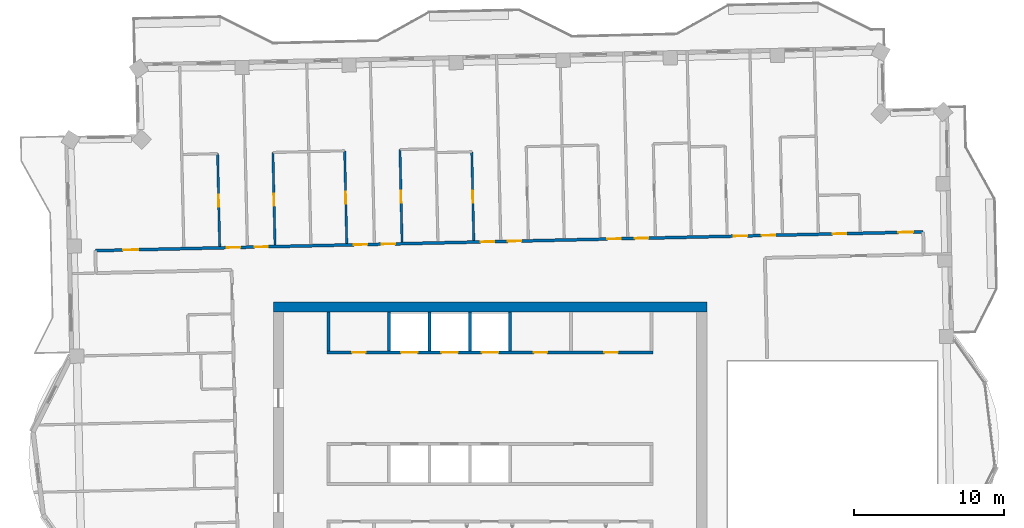
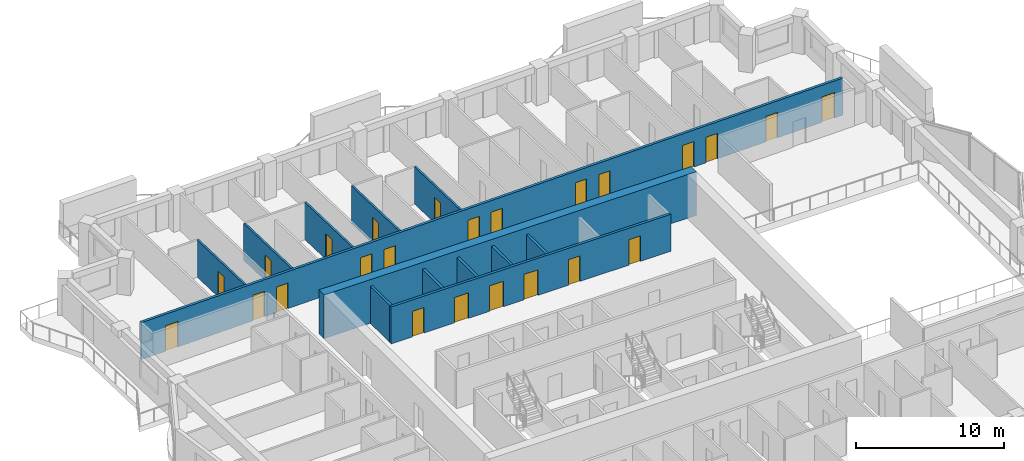
# One storey, part 11 of 18: 24 doors, 13 walls, 24 openings.
"""IFC4 building model written with IfcOpenShell, lengths in metres."""

from ifc_helpers import new_model, si_unit, direction, frame, frame_2d, origin, place, context, subcontext, project, spatial, rectangle, extrude, material, layer, layer_set, type_object, element, fill, save


model = new_model("IFC4")

# Units and contexts
model_context = context("Model", 3, precision=1e-05, world=origin(), true_north=direction((0.0, 1.0)))
body_context = subcontext(model_context, "Body", "Model", "MODEL_VIEW")
ifc_project = project(units=[si_unit("LENGTHUNIT", "METRE"), si_unit("AREAUNIT", "SQUARE_METRE"), si_unit("VOLUMEUNIT", "CUBIC_METRE"), si_unit("PLANEANGLEUNIT", "RADIAN"), si_unit("MASSUNIT", "GRAM", prefix="KILO")], contexts=[model_context])

# Site, building, storey
site_placement = place(None, origin())
site = spatial("IfcSite", under=ifc_project, at=site_placement, CompositionType="ELEMENT")
building_placement = place(site_placement, origin())
building = spatial("IfcBuilding", under=site, at=building_placement, Name="Mangrove Gate Tower", CompositionType="ELEMENT")
storey_placement = place(building_placement, frame((0.0, 0.0, 290.699951171875)))
storey = spatial("IfcBuildingStorey", under=building, at=storey_placement, Name="L74", CompositionType="ELEMENT", Elevation=290.699951171875)

# Wall
ifc_material_1 = material(Name="Concrete C32/40", Category="concrete")
ifc_layer_1 = layer(ifc_material_1, 0.199951171875)
ifc_layer_set_1 = layer_set([ifc_layer_1], Name="Core room wall 200 C32/40")
wall_type_1 = type_object("IfcWallType", Name="Core room wall 200 C32/40", PredefinedType="STANDARD", material=ifc_layer_set_1)
wall_1_placement = place(storey_placement, frame((-10.800048828125, 8.199951171875, 0.0), z_axis=(0.0, 0.0, 1.0), x_axis=(0.0, 1.0, 0.0)))
element("IfcWall", 1, at=wall_1_placement, inside=storey, type_object=wall_type_1, Name="WALL-L74-CORE-25", PredefinedType="STANDARD", context=body_context, shape_type="SweptSolid", body=[
    extrude(rectangle(XDim=2.60009765625, YDim=0.199951171875, at=frame_2d((1.300048828125, 0.0))), origin(), (0.0, 0.0, 1.0), 3.050048828125),
])

# Wall, openings, doors
ifc_material_2 = material(Name="Concrete C50/60", Category="concrete")
ifc_layer_2 = layer(ifc_material_2, 0.199951171875)
ifc_layer_set_2 = layer_set([ifc_layer_2], Name="Core shaft wall 200 C50/60")
wall_type_2 = type_object("IfcWallType", Name="Core shaft wall 200 C50/60", PredefinedType="SHEAR", material=ifc_layer_set_2)
wall_2_placement = place(storey_placement, frame((-10.89990234375, 8.10009765625, 0.0), z_axis=(0.0, 0.0, 1.0), x_axis=(1.0, 0.0, 0.0)))
wall_2 = element("IfcWall", 2, at=wall_2_placement, inside=storey, type_object=wall_type_2, Name="WALL-L74-CORE-8", PredefinedType="SHEAR", context=body_context, shape_type="SweptSolid", body=[
    extrude(rectangle(XDim=21.7998046875, YDim=0.199951171875, at=frame_2d((10.89990234375, 0.0))), origin(), (0.0, 0.0, 1.0), 3.050048828125),
])
opening_1_placement = place(wall_2_placement, frame((4.949951171875, 0.0, 0.0)))
opening_1 = element("IfcOpeningElement", 3, at=opening_1_placement, cuts=wall_2, Name="Opening LD", PredefinedType="OPENING", context=body_context, shape_type="SweptSolid", body=[
    extrude(rectangle(XDim=1.10009765625, YDim=2.10009765625, at=frame_2d((0.550048828125, 1.050048828125))), frame((0.0, 0.10986328125, 0.0), z_axis=(0.0, -1.0, 0.0), x_axis=(1.0, 0.0, 0.0)), (0.0, 0.0, 1.0), 0.219970703125),
])
opening_2_placement = place(wall_2_placement, frame((7.64990234375, 0.0, 0.0)))
opening_2 = element("IfcOpeningElement", 4, at=opening_2_placement, cuts=wall_2, Name="Opening LD", PredefinedType="OPENING", context=body_context, shape_type="SweptSolid", body=[
    extrude(rectangle(XDim=1.10009765625, YDim=2.10009765625, at=frame_2d((0.550048828125, 1.050048828125))), frame((0.0, 0.10986328125, 0.0), z_axis=(0.0, -1.0, 0.0), x_axis=(1.0, 0.0, 0.0)), (0.0, 0.0, 1.0), 0.219970703125),
])
opening_3_placement = place(wall_2_placement, frame((10.35009765625, 0.0, 0.0)))
opening_3 = element("IfcOpeningElement", 5, at=opening_3_placement, cuts=wall_2, Name="Opening LD", PredefinedType="OPENING", context=body_context, shape_type="SweptSolid", body=[
    extrude(rectangle(XDim=1.10009765625, YDim=2.10009765625, at=frame_2d((0.550048828125, 1.050048828125))), frame((0.0, 0.10986328125, 0.0), z_axis=(0.0, -1.0, 0.0), x_axis=(1.0, 0.0, 0.0)), (0.0, 0.0, 1.0), 0.219970703125),
])
opening_4_placement = place(wall_2_placement, frame((1.675048828125, 0.0, 0.0)))
opening_4 = element("IfcOpeningElement", 6, at=opening_4_placement, cuts=wall_2, Name="Opening RD", PredefinedType="OPENING", context=body_context, shape_type="SweptSolid", body=[
    extrude(rectangle(XDim=0.89990234375, YDim=2.10009765625, at=frame_2d((0.449951171875, 1.050048828125))), frame((0.0, 0.10986328125, 0.0), z_axis=(0.0, -1.0, 0.0), x_axis=(1.0, 0.0, 0.0)), (0.0, 0.0, 1.0), 0.219970703125),
])
opening_5_placement = place(wall_2_placement, frame((13.824951171875, 0.0, 0.0)))
opening_5 = element("IfcOpeningElement", 7, at=opening_5_placement, cuts=wall_2, Name="Opening RD", PredefinedType="OPENING", context=body_context, shape_type="SweptSolid", body=[
    extrude(rectangle(XDim=0.89990234375, YDim=2.10009765625, at=frame_2d((0.449951171875, 1.050048828125))), frame((0.0, 0.10986328125, 0.0), z_axis=(0.0, -1.0, 0.0), x_axis=(1.0, 0.0, 0.0)), (0.0, 0.0, 1.0), 0.219970703125),
])
opening_6_placement = place(wall_2_placement, frame((18.550048828125, 0.0, 0.0)))
opening_6 = element("IfcOpeningElement", 8, at=opening_6_placement, cuts=wall_2, Name="Opening KD", PredefinedType="OPENING", context=body_context, shape_type="SweptSolid", body=[
    extrude(rectangle(XDim=0.89990234375, YDim=2.10009765625, at=frame_2d((0.449951171875, 1.050048828125))), frame((0.0, 0.10986328125, 0.0), z_axis=(0.0, -1.0, 0.0), x_axis=(1.0, 0.0, 0.0)), (0.0, 0.0, 1.0), 0.219970703125),
])
ifc_material_3 = material(Name="Fire-rated steel door set", Category="steel")
door_type_1 = type_object("IfcDoorType", Name="Core room door FD30S 900x2100", OperationType="SINGLE_SWING_RIGHT", PredefinedType="DOOR", material=ifc_material_3)
door_1_placement = place(opening_6_placement, origin())
door_1 = element("IfcDoor", 9, at=door_1_placement, inside=storey, type_object=door_type_1, Name="Core room door Core WC", OperationType="SINGLE_SWING_RIGHT", OverallHeight=2.10009765625, OverallWidth=0.89990234375, PredefinedType="DOOR", context=body_context, shape_type="SweptSolid", body=[
    extrude(rectangle(XDim=0.89990234375, YDim=2.10009765625, at=frame_2d((0.449951171875, 1.050048828125))), frame((0.0, 0.02490234375, 0.0), z_axis=(0.0, -1.0, 0.0), x_axis=(1.0, 0.0, 0.0)), (0.0, 0.0, 1.0), 0.050048828125),
])
fill(opening_6, door_1)
ifc_material_4 = material(Name="Stainless steel 316", Category="steel")
door_type_2 = type_object("IfcDoorType", Name="Lift landing door 1100x2100", OperationType="SLIDING_TO_LEFT", PredefinedType="DOOR", material=ifc_material_4)
door_2_placement = place(opening_1_placement, origin())
door_2 = element("IfcDoor", 10, at=door_2_placement, inside=storey, type_object=door_type_2, Name="Landing door LD H04", OperationType="SLIDING_TO_LEFT", OverallHeight=2.10009765625, OverallWidth=1.10009765625, PredefinedType="DOOR", context=body_context, shape_type="SweptSolid", body=[
    extrude(rectangle(XDim=1.10009765625, YDim=2.10009765625, at=frame_2d((0.550048828125, 1.050048828125))), frame((0.0, 0.02490234375, 0.0), z_axis=(0.0, -1.0, 0.0), x_axis=(1.0, 0.0, 0.0)), (0.0, 0.0, 1.0), 0.050048828125),
])
fill(opening_1, door_2)
door_3_placement = place(opening_2_placement, origin())
door_3 = element("IfcDoor", 11, at=door_3_placement, inside=storey, type_object=door_type_2, Name="Landing door LD H05", OperationType="SLIDING_TO_LEFT", OverallHeight=2.10009765625, OverallWidth=1.10009765625, PredefinedType="DOOR", context=body_context, shape_type="SweptSolid", body=[
    extrude(rectangle(XDim=1.10009765625, YDim=2.10009765625, at=frame_2d((0.550048828125, 1.050048828125))), frame((0.0, 0.02490234375, 0.0), z_axis=(0.0, -1.0, 0.0), x_axis=(1.0, 0.0, 0.0)), (0.0, 0.0, 1.0), 0.050048828125),
])
fill(opening_2, door_3)
door_4_placement = place(opening_3_placement, origin())
door_4 = element("IfcDoor", 12, at=door_4_placement, inside=storey, type_object=door_type_2, Name="Landing door LD H06", OperationType="SLIDING_TO_LEFT", OverallHeight=2.10009765625, OverallWidth=1.10009765625, PredefinedType="DOOR", context=body_context, shape_type="SweptSolid", body=[
    extrude(rectangle(XDim=1.10009765625, YDim=2.10009765625, at=frame_2d((0.550048828125, 1.050048828125))), frame((0.0, 0.02490234375, 0.0), z_axis=(0.0, -1.0, 0.0), x_axis=(1.0, 0.0, 0.0)), (0.0, 0.0, 1.0), 0.050048828125),
])
fill(opening_3, door_4)
ifc_material_5 = material(Name="Fire-rated steel door set", Category="steel")
door_type_3 = type_object("IfcDoorType", Name="Riser door FD30S 900x2100", OperationType="SINGLE_SWING_LEFT", PredefinedType="DOOR", material=ifc_material_5)
door_5_placement = place(opening_4_placement, origin())
door_5 = element("IfcDoor", 13, at=door_5_placement, inside=storey, type_object=door_type_3, Name="Riser door Switch room", OperationType="SINGLE_SWING_LEFT", OverallHeight=2.10009765625, OverallWidth=0.89990234375, PredefinedType="DOOR", context=body_context, shape_type="SweptSolid", body=[
    extrude(rectangle(XDim=0.89990234375, YDim=2.10009765625, at=frame_2d((0.449951171875, 1.050048828125))), frame((0.0, 0.02490234375, 0.0), z_axis=(0.0, -1.0, 0.0), x_axis=(1.0, 0.0, 0.0)), (0.0, 0.0, 1.0), 0.050048828125),
])
fill(opening_4, door_5)
door_6_placement = place(opening_5_placement, origin())
door_6 = element("IfcDoor", 14, at=door_6_placement, inside=storey, type_object=door_type_3, Name="Riser door Comms room", OperationType="SINGLE_SWING_LEFT", OverallHeight=2.10009765625, OverallWidth=0.89990234375, PredefinedType="DOOR", context=body_context, shape_type="SweptSolid", body=[
    extrude(rectangle(XDim=0.89990234375, YDim=2.10009765625, at=frame_2d((0.449951171875, 1.050048828125))), frame((0.0, 0.02490234375, 0.0), z_axis=(0.0, -1.0, 0.0), x_axis=(1.0, 0.0, 0.0)), (0.0, 0.0, 1.0), 0.050048828125),
])
fill(opening_5, door_6)

# Walls
for number, where, z_axis, x_axis, name in (
    (15, (-6.75, 8.199951171875, 0.0), (0.0, 0.0, 1.0), (0.0, 1.0, 0.0), "WALL-L74-CORE-26"),
    (16, (-4.050048828125, 8.199951171875, 0.0), (0.0, 0.0, 1.0), (0.0, 1.0, 0.0), "WALL-L74-CORE-27"),
    (17, (-1.35009765625, 8.199951171875, 0.0), (0.0, 0.0, 1.0), (0.0, 1.0, 0.0), "WALL-L74-CORE-28"),
    (18, (1.35009765625, 8.199951171875, 0.0), (0.0, 0.0, 1.0), (0.0, 1.0, 0.0), "WALL-L74-CORE-29"),
):
    element("IfcWall", number, at=place(storey_placement, frame(where, z_axis=z_axis, x_axis=x_axis)), inside=storey, type_object=wall_type_2, Name=name, PredefinedType="SHEAR", context=body_context, shape_type="SweptSolid", body=[
        extrude(rectangle(XDim=2.60009765625, YDim=0.199951171875, at=frame_2d((1.300048828125, 0.0))), origin(), (0.0, 0.0, 1.0), 3.050048828125),
    ])
ifc_material_6 = material(Name="Concrete C50/60", Category="concrete")
ifc_layer_3 = layer(ifc_material_6, 0.699951171875)
ifc_layer_set_3 = layer_set([ifc_layer_3], Name="Core wall 700 C50/60")
wall_type_3 = type_object("IfcWallType", Name="Core wall 700 C50/60", PredefinedType="SHEAR", material=ifc_layer_set_3)
wall_3_placement = place(storey_placement, frame((-14.5, 11.14990234375, 0.0), z_axis=(0.0, 0.0, 1.0), x_axis=(1.0, 0.0, 0.0)))
element("IfcWall", 19, at=wall_3_placement, inside=storey, type_object=wall_type_3, Name="WALL-L74-CORE-2", PredefinedType="SHEAR", context=body_context, shape_type="SweptSolid", body=[
    extrude(rectangle(XDim=29.0, YDim=0.699951171875, at=frame_2d((14.5, 0.0))), origin(), (0.0, 0.0, 1.0), 3.60009765625),
])

# Wall, openings, doors
ifc_material_7 = material(Name="Gypsum board on steel stud, EI 60", Category="steel")
ifc_layer_4 = layer(ifc_material_7, 0.199951171875)
ifc_layer_set_4 = layer_set([ifc_layer_4], Name="Corridor wall EI 60")
wall_type_4 = type_object("IfcWallType", Name="Corridor wall EI 60", PredefinedType="PARTITIONING", material=ifc_layer_set_4)
wall_4_placement = place(storey_placement, frame((-26.40087890625, 14.91796875, 0.0), z_axis=(0.0, 0.0, 1.0), x_axis=(0.99974239733, 0.022696673341, 0.0)))
wall_4 = element("IfcWall", 20, at=wall_4_placement, inside=storey, type_object=wall_type_4, Name="WALL-L74-060", PredefinedType="PARTITIONING", context=body_context, shape_type="SweptSolid", body=[
    extrude(rectangle(XDim=55.385986328125, YDim=0.199951171875, at=frame_2d((27.69287109375, 0.0))), origin(), (0.0, 0.0, 1.0), 3.050048828125),
])
opening_7_placement = place(wall_4_placement, frame((53.718017578125, 0.0, 0.0)))
opening_7 = element("IfcOpeningElement", 21, at=opening_7_placement, cuts=wall_4, Name="Opening AD", PredefinedType="OPENING", context=body_context, shape_type="SweptSolid", body=[
    extrude(rectangle(XDim=1.0, YDim=2.10009765625, at=frame_2d((0.5, 1.050048828125))), frame((0.0, 0.10986328125, 0.0), z_axis=(0.0, -1.0, 0.0), x_axis=(1.0, 0.0, 0.0)), (0.0, 0.0, 1.0), 0.219970703125),
])
opening_8_placement = place(wall_4_placement, frame((49.324951171875, 0.0, 0.0)))
opening_8 = element("IfcOpeningElement", 22, at=opening_8_placement, cuts=wall_4, Name="Opening SD", PredefinedType="OPENING", context=body_context, shape_type="SweptSolid", body=[
    extrude(rectangle(XDim=0.89990234375, YDim=2.10009765625, at=frame_2d((0.449951171875, 1.050048828125))), frame((0.0, 0.10986328125, 0.0), z_axis=(0.0, -1.0, 0.0), x_axis=(1.0, 0.0, 0.0)), (0.0, 0.0, 1.0), 0.219970703125),
])
opening_9_placement = place(wall_4_placement, frame((44.574951171875, 0.0, 0.0)))
opening_9 = element("IfcOpeningElement", 23, at=opening_9_placement, cuts=wall_4, Name="Opening BD", PredefinedType="OPENING", context=body_context, shape_type="SweptSolid", body=[
    extrude(rectangle(XDim=0.89990234375, YDim=2.10009765625, at=frame_2d((0.449951171875, 1.050048828125))), frame((0.0, 0.10986328125, 0.0), z_axis=(0.0, -1.0, 0.0), x_axis=(1.0, 0.0, 0.0)), (0.0, 0.0, 1.0), 0.219970703125),
])
opening_10_placement = place(wall_4_placement, frame((42.72509765625, 0.0, 0.0)))
opening_10 = element("IfcOpeningElement", 24, at=opening_10_placement, cuts=wall_4, Name="Opening BD", PredefinedType="OPENING", context=body_context, shape_type="SweptSolid", body=[
    extrude(rectangle(XDim=0.89990234375, YDim=2.10009765625, at=frame_2d((0.449951171875, 1.050048828125))), frame((0.0, 0.10986328125, 0.0), z_axis=(0.0, -1.0, 0.0), x_axis=(1.0, 0.0, 0.0)), (0.0, 0.0, 1.0), 0.219970703125),
])
opening_11_placement = place(wall_4_placement, frame((36.10009765625, 0.0, 0.0)))
opening_11 = element("IfcOpeningElement", 25, at=opening_11_placement, cuts=wall_4, Name="Opening BD", PredefinedType="OPENING", context=body_context, shape_type="SweptSolid", body=[
    extrude(rectangle(XDim=0.89990234375, YDim=2.10009765625, at=frame_2d((0.449951171875, 1.050048828125))), frame((0.0, 0.10986328125, 0.0), z_axis=(0.0, -1.0, 0.0), x_axis=(1.0, 0.0, 0.0)), (0.0, 0.0, 1.0), 0.219970703125),
])
opening_12_placement = place(wall_4_placement, frame((34.25, 0.0, 0.0)))
opening_12 = element("IfcOpeningElement", 26, at=opening_12_placement, cuts=wall_4, Name="Opening BD", PredefinedType="OPENING", context=body_context, shape_type="SweptSolid", body=[
    extrude(rectangle(XDim=0.89990234375, YDim=2.10009765625, at=frame_2d((0.449951171875, 1.050048828125))), frame((0.0, 0.10986328125, 0.0), z_axis=(0.0, -1.0, 0.0), x_axis=(1.0, 0.0, 0.0)), (0.0, 0.0, 1.0), 0.219970703125),
])
opening_13_placement = place(wall_4_placement, frame((27.60009765625, 0.0, 0.0)))
opening_13 = element("IfcOpeningElement", 27, at=opening_13_placement, cuts=wall_4, Name="Opening BD", PredefinedType="OPENING", context=body_context, shape_type="SweptSolid", body=[
    extrude(rectangle(XDim=0.89990234375, YDim=2.10009765625, at=frame_2d((0.449951171875, 1.050048828125))), frame((0.0, 0.10986328125, 0.0), z_axis=(0.0, -1.0, 0.0), x_axis=(1.0, 0.0, 0.0)), (0.0, 0.0, 1.0), 0.219970703125),
])
opening_14_placement = place(wall_4_placement, frame((25.77490234375, 0.0, 0.0)))
opening_14 = element("IfcOpeningElement", 28, at=opening_14_placement, cuts=wall_4, Name="Opening BD", PredefinedType="OPENING", context=body_context, shape_type="SweptSolid", body=[
    extrude(rectangle(XDim=0.89990234375, YDim=2.10009765625, at=frame_2d((0.449951171875, 1.050048828125))), frame((0.0, 0.10986328125, 0.0), z_axis=(0.0, -1.0, 0.0), x_axis=(1.0, 0.0, 0.0)), (0.0, 0.0, 1.0), 0.219970703125),
])
opening_15_placement = place(wall_4_placement, frame((19.14990234375, 0.0, 0.0)))
opening_15 = element("IfcOpeningElement", 29, at=opening_15_placement, cuts=wall_4, Name="Opening BD", PredefinedType="OPENING", context=body_context, shape_type="SweptSolid", body=[
    extrude(rectangle(XDim=0.89990234375, YDim=2.10009765625, at=frame_2d((0.449951171875, 1.050048828125))), frame((0.0, 0.10986328125, 0.0), z_axis=(0.0, -1.0, 0.0), x_axis=(1.0, 0.0, 0.0)), (0.0, 0.0, 1.0), 0.219970703125),
])
opening_16_placement = place(wall_4_placement, frame((17.300048828125, 0.0, 0.0)))
opening_16 = element("IfcOpeningElement", 30, at=opening_16_placement, cuts=wall_4, Name="Opening BD", PredefinedType="OPENING", context=body_context, shape_type="SweptSolid", body=[
    extrude(rectangle(XDim=0.89990234375, YDim=2.10009765625, at=frame_2d((0.449951171875, 1.050048828125))), frame((0.0, 0.10986328125, 0.0), z_axis=(0.0, -1.0, 0.0), x_axis=(1.0, 0.0, 0.0)), (0.0, 0.0, 1.0), 0.219970703125),
])
opening_17_placement = place(wall_4_placement, frame((10.64990234375, 0.0, 0.0)))
opening_17 = element("IfcOpeningElement", 31, at=opening_17_placement, cuts=wall_4, Name="Opening BD", PredefinedType="OPENING", context=body_context, shape_type="SweptSolid", body=[
    extrude(rectangle(XDim=0.89990234375, YDim=2.10009765625, at=frame_2d((0.449951171875, 1.050048828125))), frame((0.0, 0.10986328125, 0.0), z_axis=(0.0, -1.0, 0.0), x_axis=(1.0, 0.0, 0.0)), (0.0, 0.0, 1.0), 0.219970703125),
])
opening_18_placement = place(wall_4_placement, frame((8.800048828125, 0.0, 0.0)))
opening_18 = element("IfcOpeningElement", 32, at=opening_18_placement, cuts=wall_4, Name="Opening BD", PredefinedType="OPENING", context=body_context, shape_type="SweptSolid", body=[
    extrude(rectangle(XDim=0.89990234375, YDim=2.10009765625, at=frame_2d((0.449951171875, 1.050048828125))), frame((0.0, 0.10986328125, 0.0), z_axis=(0.0, -1.0, 0.0), x_axis=(1.0, 0.0, 0.0)), (0.0, 0.0, 1.0), 0.219970703125),
])
opening_19_placement = place(wall_4_placement, frame((1.864013671875, 0.0, 0.0)))
opening_19 = element("IfcOpeningElement", 33, at=opening_19_placement, cuts=wall_4, Name="Opening AD", PredefinedType="OPENING", context=body_context, shape_type="SweptSolid", body=[
    extrude(rectangle(XDim=1.0, YDim=2.10009765625, at=frame_2d((0.5, 1.050048828125))), frame((0.0, 0.10986328125, 0.0), z_axis=(0.0, -1.0, 0.0), x_axis=(1.0, 0.0, 0.0)), (0.0, 0.0, 1.0), 0.219970703125),
])
ifc_material_8 = material(Name="Timber door leaf", Category="wood")
door_type_4 = type_object("IfcDoorType", Name="Amenity door 1000", OperationType="SINGLE_SWING_LEFT", PredefinedType="DOOR", material=ifc_material_8)
door_7_placement = place(opening_7_placement, origin())
door_7 = element("IfcDoor", 34, at=door_7_placement, inside=storey, type_object=door_type_4, Name="DOOR-L74-KIT-c3a", OperationType="SINGLE_SWING_LEFT", OverallHeight=2.10009765625, OverallWidth=1.0, PredefinedType="DOOR", context=body_context, shape_type="SweptSolid", body=[
    extrude(rectangle(XDim=1.0, YDim=2.10009765625, at=frame_2d((0.5, 1.050048828125))), frame((0.0, 0.02490234375, 0.0), z_axis=(0.0, -1.0, 0.0), x_axis=(1.0, 0.0, 0.0)), (0.0, 0.0, 1.0), 0.050048828125),
])
fill(opening_7, door_7)
door_8_placement = place(opening_19_placement, origin())
door_8 = element("IfcDoor", 35, at=door_8_placement, inside=storey, type_object=door_type_4, Name="DOOR-L74-STU-c5a", OperationType="SINGLE_SWING_RIGHT", OverallHeight=2.10009765625, OverallWidth=1.0, PredefinedType="DOOR", context=body_context, shape_type="SweptSolid", body=[
    extrude(rectangle(XDim=1.0, YDim=2.10009765625, at=frame_2d((0.5, 1.050048828125))), frame((0.0, 0.02490234375, 0.0), z_axis=(0.0, -1.0, 0.0), x_axis=(1.0, 0.0, 0.0)), (0.0, 0.0, 1.0), 0.050048828125),
])
fill(opening_19, door_8)
ifc_material_9 = material(Name="Timber door leaf", Category="wood")
door_type_5 = type_object("IfcDoorType", Name="Bedroom door 900", OperationType="SINGLE_SWING_LEFT", PredefinedType="DOOR", material=ifc_material_9)
door_9_placement = place(opening_9_placement, origin())
door_9 = element("IfcDoor", 36, at=door_9_placement, inside=storey, type_object=door_type_5, Name="DOOR-L74-BED-c310", OperationType="SINGLE_SWING_RIGHT", OverallHeight=2.10009765625, OverallWidth=0.89990234375, PredefinedType="DOOR", context=body_context, shape_type="SweptSolid", body=[
    extrude(rectangle(XDim=0.89990234375, YDim=2.10009765625, at=frame_2d((0.449951171875, 1.050048828125))), frame((0.0, 0.02490234375, 0.0), z_axis=(0.0, -1.0, 0.0), x_axis=(1.0, 0.0, 0.0)), (0.0, 0.0, 1.0), 0.050048828125),
])
fill(opening_9, door_9)
door_10_placement = place(opening_10_placement, origin())
door_10 = element("IfcDoor", 37, at=door_10_placement, inside=storey, type_object=door_type_5, Name="DOOR-L74-BED-c311", OperationType="SINGLE_SWING_LEFT", OverallHeight=2.10009765625, OverallWidth=0.89990234375, PredefinedType="DOOR", context=body_context, shape_type="SweptSolid", body=[
    extrude(rectangle(XDim=0.89990234375, YDim=2.10009765625, at=frame_2d((0.449951171875, 1.050048828125))), frame((0.0, 0.02490234375, 0.0), z_axis=(0.0, -1.0, 0.0), x_axis=(1.0, 0.0, 0.0)), (0.0, 0.0, 1.0), 0.050048828125),
])
fill(opening_10, door_10)
door_11_placement = place(opening_11_placement, origin())
door_11 = element("IfcDoor", 38, at=door_11_placement, inside=storey, type_object=door_type_5, Name="DOOR-L74-BED-c312", OperationType="SINGLE_SWING_RIGHT", OverallHeight=2.10009765625, OverallWidth=0.89990234375, PredefinedType="DOOR", context=body_context, shape_type="SweptSolid", body=[
    extrude(rectangle(XDim=0.89990234375, YDim=2.10009765625, at=frame_2d((0.449951171875, 1.050048828125))), frame((0.0, 0.02490234375, 0.0), z_axis=(0.0, -1.0, 0.0), x_axis=(1.0, 0.0, 0.0)), (0.0, 0.0, 1.0), 0.050048828125),
])
fill(opening_11, door_11)
door_12_placement = place(opening_12_placement, origin())
door_12 = element("IfcDoor", 39, at=door_12_placement, inside=storey, type_object=door_type_5, Name="DOOR-L74-BED-c413", OperationType="SINGLE_SWING_LEFT", OverallHeight=2.10009765625, OverallWidth=0.89990234375, PredefinedType="DOOR", context=body_context, shape_type="SweptSolid", body=[
    extrude(rectangle(XDim=0.89990234375, YDim=2.10009765625, at=frame_2d((0.449951171875, 1.050048828125))), frame((0.0, 0.02490234375, 0.0), z_axis=(0.0, -1.0, 0.0), x_axis=(1.0, 0.0, 0.0)), (0.0, 0.0, 1.0), 0.050048828125),
])
fill(opening_12, door_12)
door_13_placement = place(opening_13_placement, origin())
door_13 = element("IfcDoor", 40, at=door_13_placement, inside=storey, type_object=door_type_5, Name="DOOR-L74-BED-c414", OperationType="SINGLE_SWING_RIGHT", OverallHeight=2.10009765625, OverallWidth=0.89990234375, PredefinedType="DOOR", context=body_context, shape_type="SweptSolid", body=[
    extrude(rectangle(XDim=0.89990234375, YDim=2.10009765625, at=frame_2d((0.449951171875, 1.050048828125))), frame((0.0, 0.02490234375, 0.0), z_axis=(0.0, -1.0, 0.0), x_axis=(1.0, 0.0, 0.0)), (0.0, 0.0, 1.0), 0.050048828125),
])
fill(opening_13, door_13)
door_14_placement = place(opening_14_placement, origin())
door_14 = element("IfcDoor", 41, at=door_14_placement, inside=storey, type_object=door_type_5, Name="DOOR-L74-BED-c415", OperationType="SINGLE_SWING_LEFT", OverallHeight=2.10009765625, OverallWidth=0.89990234375, PredefinedType="DOOR", context=body_context, shape_type="SweptSolid", body=[
    extrude(rectangle(XDim=0.89990234375, YDim=2.10009765625, at=frame_2d((0.449951171875, 1.050048828125))), frame((0.0, 0.02490234375, 0.0), z_axis=(0.0, -1.0, 0.0), x_axis=(1.0, 0.0, 0.0)), (0.0, 0.0, 1.0), 0.050048828125),
])
fill(opening_14, door_14)
door_15_placement = place(opening_15_placement, origin())
door_15 = element("IfcDoor", 42, at=door_15_placement, inside=storey, type_object=door_type_5, Name="DOOR-L74-BED-c416", OperationType="SINGLE_SWING_RIGHT", OverallHeight=2.10009765625, OverallWidth=0.89990234375, PredefinedType="DOOR", context=body_context, shape_type="SweptSolid", body=[
    extrude(rectangle(XDim=0.89990234375, YDim=2.10009765625, at=frame_2d((0.449951171875, 1.050048828125))), frame((0.0, 0.02490234375, 0.0), z_axis=(0.0, -1.0, 0.0), x_axis=(1.0, 0.0, 0.0)), (0.0, 0.0, 1.0), 0.050048828125),
])
fill(opening_15, door_15)
door_16_placement = place(opening_16_placement, origin())
door_16 = element("IfcDoor", 43, at=door_16_placement, inside=storey, type_object=door_type_5, Name="DOOR-L74-BED-c517", OperationType="SINGLE_SWING_LEFT", OverallHeight=2.10009765625, OverallWidth=0.89990234375, PredefinedType="DOOR", context=body_context, shape_type="SweptSolid", body=[
    extrude(rectangle(XDim=0.89990234375, YDim=2.10009765625, at=frame_2d((0.449951171875, 1.050048828125))), frame((0.0, 0.02490234375, 0.0), z_axis=(0.0, -1.0, 0.0), x_axis=(1.0, 0.0, 0.0)), (0.0, 0.0, 1.0), 0.050048828125),
])
fill(opening_16, door_16)
door_17_placement = place(opening_17_placement, origin())
door_17 = element("IfcDoor", 44, at=door_17_placement, inside=storey, type_object=door_type_5, Name="DOOR-L74-BED-c518", OperationType="SINGLE_SWING_RIGHT", OverallHeight=2.10009765625, OverallWidth=0.89990234375, PredefinedType="DOOR", context=body_context, shape_type="SweptSolid", body=[
    extrude(rectangle(XDim=0.89990234375, YDim=2.10009765625, at=frame_2d((0.449951171875, 1.050048828125))), frame((0.0, 0.02490234375, 0.0), z_axis=(0.0, -1.0, 0.0), x_axis=(1.0, 0.0, 0.0)), (0.0, 0.0, 1.0), 0.050048828125),
])
fill(opening_17, door_17)
door_18_placement = place(opening_18_placement, origin())
door_18 = element("IfcDoor", 45, at=door_18_placement, inside=storey, type_object=door_type_5, Name="DOOR-L74-BED-c519", OperationType="SINGLE_SWING_LEFT", OverallHeight=2.10009765625, OverallWidth=0.89990234375, PredefinedType="DOOR", context=body_context, shape_type="SweptSolid", body=[
    extrude(rectangle(XDim=0.89990234375, YDim=2.10009765625, at=frame_2d((0.449951171875, 1.050048828125))), frame((0.0, 0.02490234375, 0.0), z_axis=(0.0, -1.0, 0.0), x_axis=(1.0, 0.0, 0.0)), (0.0, 0.0, 1.0), 0.050048828125),
])
fill(opening_18, door_18)
ifc_material_10 = material(Name="Timber door leaf", Category="wood")
door_type_6 = type_object("IfcDoorType", Name="Service room door 900", OperationType="SINGLE_SWING_LEFT", PredefinedType="DOOR", material=ifc_material_10)
door_19_placement = place(opening_8_placement, origin())
door_19 = element("IfcDoor", 46, at=door_19_placement, inside=storey, type_object=door_type_6, Name="DOOR-L74-LDY-c3a", OperationType="SINGLE_SWING_RIGHT", OverallHeight=2.10009765625, OverallWidth=0.89990234375, PredefinedType="DOOR", context=body_context, shape_type="SweptSolid", body=[
    extrude(rectangle(XDim=0.89990234375, YDim=2.10009765625, at=frame_2d((0.449951171875, 1.050048828125))), frame((0.0, 0.02490234375, 0.0), z_axis=(0.0, -1.0, 0.0), x_axis=(1.0, 0.0, 0.0)), (0.0, 0.0, 1.0), 0.050048828125),
])
fill(opening_8, door_19)

# Wall, opening, door
ifc_material_11 = material(Name="Gypsum board on steel stud, EI 60", Category="steel")
ifc_layer_5 = layer(ifc_material_11, 0.14990234375)
ifc_layer_set_5 = layer_set([ifc_layer_5], Name="Party wall 150 EI 60")
wall_type_5 = type_object("IfcWallType", Name="Party wall 150 EI 60", PredefinedType="PARTITIONING", material=ifc_layer_set_5)
wall_5_placement = place(storey_placement, frame((-18.0830078125, 15.20703125, 0.0), z_axis=(0.0, 0.0, 1.0), x_axis=(-0.022564860101, 0.999745381129, 0.0)))
wall_5 = element("IfcWall", 47, at=wall_5_placement, inside=storey, type_object=wall_type_5, Name="WALL-L74-062", PredefinedType="PARTITIONING", context=body_context, shape_type="SweptSolid", body=[
    extrude(rectangle(XDim=6.199462890625, YDim=0.14990234375, at=frame_2d((3.099609375, 0.0))), origin(), (0.0, 0.0, 1.0), 3.050048828125),
])
opening_20_placement = place(wall_5_placement, frame((2.64990234375, 0.0, 0.0)))
opening_20 = element("IfcOpeningElement", 48, at=opening_20_placement, cuts=wall_5, Name="Opening ED", PredefinedType="OPENING", context=body_context, shape_type="SweptSolid", body=[
    extrude(rectangle(XDim=0.800048828125, YDim=2.10009765625, at=frame_2d((0.39990234375, 1.050048828125))), frame((0.0, 0.0849609375, 0.0), z_axis=(0.0, -1.0, 0.0), x_axis=(1.0, 0.0, 0.0)), (0.0, 0.0, 1.0), 0.169921875),
])
ifc_material_12 = material(Name="Timber door leaf", Category="wood")
door_type_7 = type_object("IfcDoorType", Name="En-suite door 800", OperationType="SINGLE_SWING_LEFT", PredefinedType="DOOR", material=ifc_material_12)
door_20_placement = place(opening_20_placement, origin())
door_20 = element("IfcDoor", 49, at=door_20_placement, inside=storey, type_object=door_type_7, Name="DOOR-L74-ENS-c519", OperationType="SINGLE_SWING_LEFT", OverallHeight=2.10009765625, OverallWidth=0.800048828125, PredefinedType="DOOR", context=body_context, shape_type="SweptSolid", body=[
    extrude(rectangle(XDim=0.800048828125, YDim=2.10009765625, at=frame_2d((0.39990234375, 1.050048828125))), frame((0.0, 0.02490234375, 0.0), z_axis=(0.0, -1.0, 0.0), x_axis=(1.0, 0.0, 0.0)), (0.0, 0.0, 1.0), 0.050048828125),
])
fill(opening_20, door_20)

wall_6_placement = place(storey_placement, frame((-14.384033203125, 15.291015625, 0.0), z_axis=(0.0, 0.0, 1.0), x_axis=(-0.022564860101, 0.999745381129, 0.0)))
wall_6 = element("IfcWall", 50, at=wall_6_placement, inside=storey, type_object=wall_type_5, Name="WALL-L74-064", PredefinedType="PARTITIONING", context=body_context, shape_type="SweptSolid", body=[
    extrude(rectangle(XDim=6.199462890625, YDim=0.14990234375, at=frame_2d((3.099609375, 0.0))), origin(), (0.0, 0.0, 1.0), 3.050048828125),
])
opening_21_placement = place(wall_6_placement, frame((2.64990234375, 0.0, 0.0)))
opening_21 = element("IfcOpeningElement", 51, at=opening_21_placement, cuts=wall_6, Name="Opening ED", PredefinedType="OPENING", context=body_context, shape_type="SweptSolid", body=[
    extrude(rectangle(XDim=0.800048828125, YDim=2.10009765625, at=frame_2d((0.39990234375, 1.050048828125))), frame((0.0, 0.0849609375, 0.0), z_axis=(0.0, -1.0, 0.0), x_axis=(1.0, 0.0, 0.0)), (0.0, 0.0, 1.0), 0.169921875),
])
door_21_placement = place(opening_21_placement, origin())
door_21 = element("IfcDoor", 52, at=door_21_placement, inside=storey, type_object=door_type_7, Name="DOOR-L74-ENS-c518", OperationType="SINGLE_SWING_RIGHT", OverallHeight=2.10009765625, OverallWidth=0.800048828125, PredefinedType="DOOR", context=body_context, shape_type="SweptSolid", body=[
    extrude(rectangle(XDim=0.800048828125, YDim=2.10009765625, at=frame_2d((0.39990234375, 1.050048828125))), frame((0.0, 0.02490234375, 0.0), z_axis=(0.0, -1.0, 0.0), x_axis=(1.0, 0.0, 0.0)), (0.0, 0.0, 1.0), 0.050048828125),
])
fill(opening_21, door_21)

wall_7_placement = place(storey_placement, frame((-9.5849609375, 15.39990234375, 0.0), z_axis=(0.0, 0.0, 1.0), x_axis=(-0.022604220207, 0.999744491972, 0.0)))
wall_7 = element("IfcWall", 53, at=wall_7_placement, inside=storey, type_object=wall_type_5, Name="WALL-L74-066", PredefinedType="PARTITIONING", context=body_context, shape_type="SweptSolid", body=[
    extrude(rectangle(XDim=6.199462890625, YDim=0.14990234375, at=frame_2d((3.099609375, 0.0))), origin(), (0.0, 0.0, 1.0), 3.050048828125),
])
opening_22_placement = place(wall_7_placement, frame((2.64990234375, 0.0, 0.0)))
opening_22 = element("IfcOpeningElement", 54, at=opening_22_placement, cuts=wall_7, Name="Opening ED", PredefinedType="OPENING", context=body_context, shape_type="SweptSolid", body=[
    extrude(rectangle(XDim=0.800048828125, YDim=2.10009765625, at=frame_2d((0.39990234375, 1.050048828125))), frame((0.0, 0.0849609375, 0.0), z_axis=(0.0, -1.0, 0.0), x_axis=(1.0, 0.0, 0.0)), (0.0, 0.0, 1.0), 0.169921875),
])
door_22_placement = place(opening_22_placement, origin())
door_22 = element("IfcDoor", 55, at=door_22_placement, inside=storey, type_object=door_type_7, Name="DOOR-L74-ENS-c517", OperationType="SINGLE_SWING_LEFT", OverallHeight=2.10009765625, OverallWidth=0.800048828125, PredefinedType="DOOR", context=body_context, shape_type="SweptSolid", body=[
    extrude(rectangle(XDim=0.800048828125, YDim=2.10009765625, at=frame_2d((0.39990234375, 1.050048828125))), frame((0.0, 0.02490234375, 0.0), z_axis=(0.0, -1.0, 0.0), x_axis=(1.0, 0.0, 0.0)), (0.0, 0.0, 1.0), 0.050048828125),
])
fill(opening_22, door_22)

wall_8_placement = place(storey_placement, frame((-5.885986328125, 15.48388671875, 0.0), z_axis=(0.0, 0.0, 1.0), x_axis=(-0.022564860101, 0.999745381129, 0.0)))
wall_8 = element("IfcWall", 56, at=wall_8_placement, inside=storey, type_object=wall_type_5, Name="WALL-L74-068", PredefinedType="PARTITIONING", context=body_context, shape_type="SweptSolid", body=[
    extrude(rectangle(XDim=6.199462890625, YDim=0.14990234375, at=frame_2d((3.099609375, 0.0))), origin(), (0.0, 0.0, 1.0), 3.050048828125),
])
opening_23_placement = place(wall_8_placement, frame((2.64990234375, 0.0, 0.0)))
opening_23 = element("IfcOpeningElement", 57, at=opening_23_placement, cuts=wall_8, Name="Opening ED", PredefinedType="OPENING", context=body_context, shape_type="SweptSolid", body=[
    extrude(rectangle(XDim=0.800048828125, YDim=2.10009765625, at=frame_2d((0.39990234375, 1.050048828125))), frame((0.0, 0.0849609375, 0.0), z_axis=(0.0, -1.0, 0.0), x_axis=(1.0, 0.0, 0.0)), (0.0, 0.0, 1.0), 0.169921875),
])
door_23_placement = place(opening_23_placement, origin())
door_23 = element("IfcDoor", 58, at=door_23_placement, inside=storey, type_object=door_type_7, Name="DOOR-L74-ENS-c416", OperationType="SINGLE_SWING_RIGHT", OverallHeight=2.10009765625, OverallWidth=0.800048828125, PredefinedType="DOOR", context=body_context, shape_type="SweptSolid", body=[
    extrude(rectangle(XDim=0.800048828125, YDim=2.10009765625, at=frame_2d((0.39990234375, 1.050048828125))), frame((0.0, 0.02490234375, 0.0), z_axis=(0.0, -1.0, 0.0), x_axis=(1.0, 0.0, 0.0)), (0.0, 0.0, 1.0), 0.050048828125),
])
fill(opening_23, door_23)

wall_9_placement = place(storey_placement, frame((-1.0869140625, 15.593017578125, 0.0), z_axis=(0.0, 0.0, 1.0), x_axis=(-0.022730742442, 0.999741623295, 0.0)))
wall_9 = element("IfcWall", 59, at=wall_9_placement, inside=storey, type_object=wall_type_5, Name="WALL-L74-070", PredefinedType="PARTITIONING", context=body_context, shape_type="SweptSolid", body=[
    extrude(rectangle(XDim=5.939453125, YDim=0.14990234375, at=frame_2d((2.9697265625, 0.0))), origin(), (0.0, 0.0, 1.0), 3.050048828125),
])
opening_24_placement = place(wall_9_placement, frame((2.52001953125, 0.0, 0.0)))
opening_24 = element("IfcOpeningElement", 60, at=opening_24_placement, cuts=wall_9, Name="Opening ED", PredefinedType="OPENING", context=body_context, shape_type="SweptSolid", body=[
    extrude(rectangle(XDim=0.800048828125, YDim=2.10009765625, at=frame_2d((0.39990234375, 1.050048828125))), frame((0.0, 0.0849609375, 0.0), z_axis=(0.0, -1.0, 0.0), x_axis=(1.0, 0.0, 0.0)), (0.0, 0.0, 1.0), 0.169921875),
])
door_24_placement = place(opening_24_placement, origin())
door_24 = element("IfcDoor", 61, at=door_24_placement, inside=storey, type_object=door_type_7, Name="DOOR-L74-ENS-c415", OperationType="SINGLE_SWING_LEFT", OverallHeight=2.10009765625, OverallWidth=0.800048828125, PredefinedType="DOOR", context=body_context, shape_type="SweptSolid", body=[
    extrude(rectangle(XDim=0.800048828125, YDim=2.10009765625, at=frame_2d((0.39990234375, 1.050048828125))), frame((0.0, 0.02490234375, 0.0), z_axis=(0.0, -1.0, 0.0), x_axis=(1.0, 0.0, 0.0)), (0.0, 0.0, 1.0), 0.050048828125),
])
fill(opening_24, door_24)

save(model, "model.ifc")
